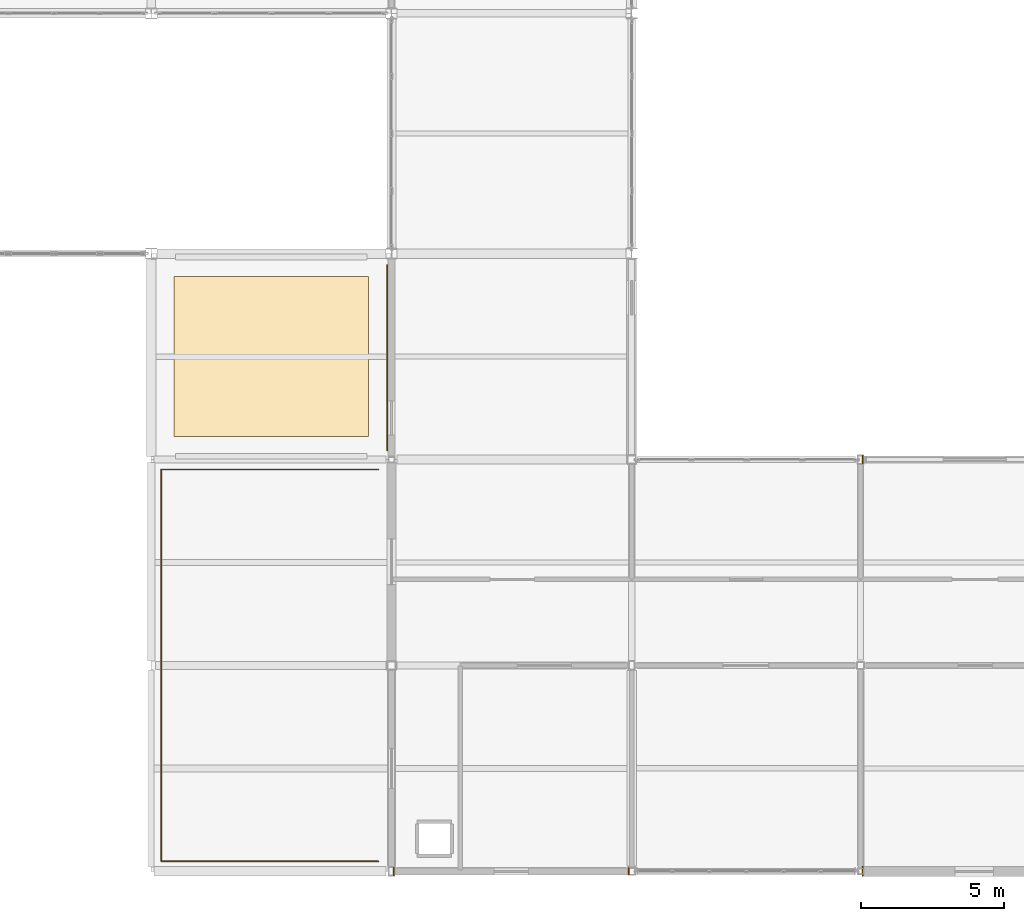
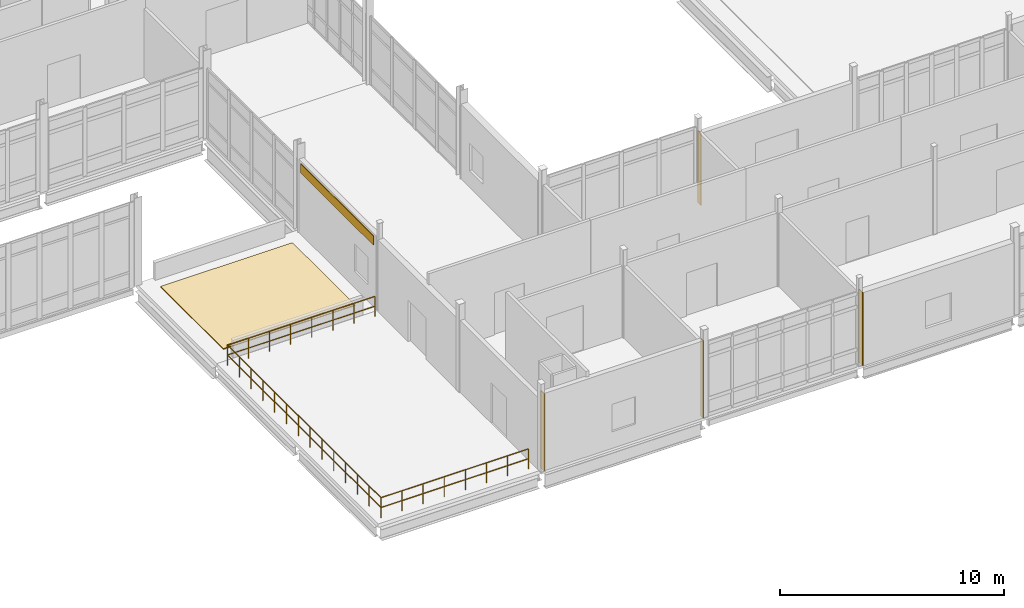
# One storey, part 172 of 186: 6 coverings, 1 railing.
"""IFC4 building model written with IfcOpenShell, lengths in metres."""

from ifc_helpers import new_model, si_unit, direction, frame, origin, origin_2d, place, context, subcontext, project, spatial, polyline, rectangle, circle, outline, extrude, material, layer, layer_set, type_object, element, save


model = new_model("IFC4")

# Units and contexts
model_context = context("Model", 3, precision=1e-05, world=origin(), true_north=direction((0.0, 1.0)))
body_context = subcontext(model_context, "Body", "Model", "MODEL_VIEW")
ifc_project = project(units=[si_unit("LENGTHUNIT", "METRE"), si_unit("AREAUNIT", "SQUARE_METRE"), si_unit("VOLUMEUNIT", "CUBIC_METRE"), si_unit("PLANEANGLEUNIT", "RADIAN"), si_unit("MASSUNIT", "GRAM", prefix="KILO")], contexts=[model_context])

# Site, building, storey
site_placement = place(None, origin())
site = spatial("IfcSite", under=ifc_project, at=site_placement, CompositionType="ELEMENT")
building_placement = place(site_placement, origin())
building = spatial("IfcBuilding", under=site, at=building_placement, Name="Calvrana Isthmian Art Gallery", CompositionType="ELEMENT")
storey_placement = place(building_placement, frame((0.0, 0.0, 5.39990234375)))
storey = spatial("IfcBuildingStorey", under=building, at=storey_placement, Name="L01", CompositionType="ELEMENT", Elevation=5.39990234375)

# Coverings
ifc_material_1 = material(Name="Polychrome glazed terracotta", Category="masonry")
ifc_layer_1 = layer(ifc_material_1, 0.0400390625, Name="Polychrome glazed terracotta")
ifc_layer_set_1 = layer_set([ifc_layer_1], Name="Polychrome glazed terracotta")
covering_type_1 = type_object("IfcCoveringType", Name="COV-CLAD-TERRA", PredefinedType="CLADDING", material=ifc_layer_set_1)
covering_1_placement = place(storey_placement, origin())
element("IfcCovering", 1, at=covering_1_placement, inside=storey, type_object=covering_type_1, Name="Column pocket weather closure L01-09-00-W", PredefinedType="CLADDING", context=body_context, shape_type="SweptSolid", body=[
    extrude(outline(polyline([(72.0615234375, -0.1474609375), (72.1015625, -0.1474609375), (72.1015625, 0.1474609375), (72.0615234375, 0.1474609375), (72.0615234375, -0.1474609375)])), origin(), (0.0, 0.0, 1.0), 4.21533203125),
])
covering_2_placement = place(storey_placement, origin())
element("IfcCovering", 2, at=covering_2_placement, inside=storey, type_object=covering_type_1, Name="Column pocket weather closure L01-09-00-E", PredefinedType="CLADDING", context=body_context, shape_type="SweptSolid", body=[
    extrude(outline(polyline([(80.27294921875, -0.125), (80.31298828125, -0.125), (80.31298828125, 0.125), (80.27294921875, 0.125), (80.27294921875, -0.125)])), origin(), (0.0, 0.0, 1.0), 4.21533203125),
])
covering_3_placement = place(storey_placement, origin())
element("IfcCovering", 3, at=covering_3_placement, inside=storey, type_object=covering_type_1, Name="Column pocket weather closure L01-11-00-W", PredefinedType="CLADDING", context=body_context, shape_type="SweptSolid", body=[
    extrude(outline(polyline([(88.461669921875, -0.175048828125), (88.501708984375, -0.175048828125), (88.501708984375, 0.175048828125), (88.461669921875, 0.175048828125), (88.461669921875, -0.175048828125)])), origin(), (0.0, 0.0, 1.0), 3.987060546875),
])
covering_4_placement = place(storey_placement, origin())
element("IfcCovering", 4, at=covering_4_placement, inside=storey, type_object=covering_type_1, Name="Column pocket weather closure L01-11-02-W", PredefinedType="CLADDING", context=body_context, shape_type="SweptSolid", body=[
    extrude(outline(polyline([(88.461669921875, 14.252685546875), (88.501708984375, 14.252685546875), (88.501708984375, 14.54736328125), (88.461669921875, 14.54736328125), (88.461669921875, 14.252685546875)])), origin(), (0.0, 0.0, 1.0), 3.9130859375),
])
covering_5_placement = place(storey_placement, frame((71.85693359375, 17.95751953125, 3.38720703125), z_axis=(0.0, 0.0, 1.0), x_axis=(0.0, 1.0, 0.0)))
element("IfcCovering", 5, at=covering_5_placement, inside=storey, type_object=covering_type_1, Name="Terracotta spandrel cladding 100", PredefinedType="CLADDING", context=body_context, shape_type="SweptSolid", body=[
    extrude(rectangle(XDim=6.511962890625, YDim=0.0400390625, at=origin_2d()), origin(), (0.0, 0.0, 1.0), 0.5),
])
ifc_material_2 = material(Name="Standing-seam zinc-aluminium roofing", Category="aluminium")
ifc_layer_2 = layer(ifc_material_2, 0.050048828125, Name="Standing-seam zinc-aluminium roofing")
ifc_layer_set_2 = layer_set([ifc_layer_2], Name="Standing-seam zinc-aluminium roofing")
covering_type_2 = type_object("IfcCoveringType", Name="COV-ROOF-ZINC", PredefinedType="ROOFING", material=ifc_layer_set_2)
covering_6_placement = place(storey_placement, origin())
element("IfcCovering", 6, at=covering_6_placement, inside=storey, type_object=covering_type_2, Name="Insulated roof membrane ROOF_V2C_L01", PredefinedType="ROOFING", context=body_context, shape_type="SweptSolid", body=[
    extrude(outline(polyline([(64.39990234375, 15.199951171875), (71.199951171875, 15.199951171875), (71.199951171875, 20.800048828125), (64.39990234375, 20.800048828125), (64.39990234375, 15.199951171875)])), origin(), (0.0, 0.0, 1.0), 0.050048828125),
])

# Railing
ifc_material_3 = material(Name="Anodized bronze aluminium 6063-T6", Category="aluminium")
railing_type = type_object("IfcRailingType", Name="RL-BAL-1120", PredefinedType="BALUSTRADE", material=ifc_material_3)
railing_placement = place(storey_placement, frame((71.550048828125, 0.35009765625, 0.0)))
element("IfcRailing", 7, at=railing_placement, inside=storey, type_object=railing_type, Name="Terrace balustrade GR-T01", PredefinedType="BALUSTRADE", context=body_context, shape_type="SweptSolid", body=[
    extrude(circle(Radius=0.02392578125, at=origin_2d()), frame((0.0, 0.0, 1.09619140625), z_axis=(-1.0, 0.0, 0.0), x_axis=(0.0, -1.0, 0.0)), (0.0, 0.0, 1.0), 7.60009765625),
    extrude(circle(Radius=0.02392578125, at=origin_2d()), frame((0.0, 0.0, 0.56005859375), z_axis=(-1.0, 0.0, 0.0), x_axis=(0.0, -1.0, 0.0)), (0.0, 0.0, 1.0), 7.60009765625),
    extrude(circle(Radius=0.02392578125, at=origin_2d()), frame((-7.60009765625, 0.0, 1.09619140625), z_axis=(0.0, 1.0, 0.0), x_axis=(-1.0, 0.0, 0.0)), (0.0, 0.0, 1.0), 13.699951171875),
    extrude(circle(Radius=0.02392578125, at=origin_2d()), frame((-7.60009765625, 0.0, 0.56005859375), z_axis=(0.0, 1.0, 0.0), x_axis=(-1.0, 0.0, 0.0)), (0.0, 0.0, 1.0), 13.699951171875),
    extrude(circle(Radius=0.02392578125, at=origin_2d()), frame((-7.60009765625, 13.699951171875, 1.09619140625), z_axis=(1.0, 0.0, 0.0), x_axis=(0.0, 1.0, 0.0)), (0.0, 0.0, 1.0), 7.60009765625),
    extrude(circle(Radius=0.02392578125, at=origin_2d()), frame((-7.60009765625, 13.699951171875, 0.56005859375), z_axis=(1.0, 0.0, 0.0), x_axis=(0.0, 1.0, 0.0)), (0.0, 0.0, 1.0), 7.60009765625),
    extrude(circle(Radius=0.02099609375, at=origin_2d()), origin(), (0.0, 0.0, 1.0), 1.072021484375),
    extrude(circle(Radius=0.02099609375, at=origin_2d()), frame((-1.085693359375, 0.0, 0.0)), (0.0, 0.0, 1.0), 1.072021484375),
    extrude(circle(Radius=0.02099609375, at=origin_2d()), frame((-2.17138671875, 0.0, 0.0)), (0.0, 0.0, 1.0), 1.072021484375),
    extrude(circle(Radius=0.02099609375, at=origin_2d()), frame((-3.257080078125, 0.0, 0.0)), (0.0, 0.0, 1.0), 1.072021484375),
    extrude(circle(Radius=0.02099609375, at=origin_2d()), frame((-4.343017578125, 0.0, 0.0)), (0.0, 0.0, 1.0), 1.072021484375),
    extrude(circle(Radius=0.02099609375, at=origin_2d()), frame((-5.4287109375, 0.0, 0.0)), (0.0, 0.0, 1.0), 1.072021484375),
    extrude(circle(Radius=0.02099609375, at=origin_2d()), frame((-6.514404296875, 0.0, 0.0)), (0.0, 0.0, 1.0), 1.072021484375),
    extrude(circle(Radius=0.02099609375, at=origin_2d()), frame((-7.60009765625, 0.0, 0.0)), (0.0, 0.0, 1.0), 1.072021484375),
    extrude(circle(Radius=0.02099609375, at=origin_2d()), frame((-7.60009765625, 1.053955078125, 0.0)), (0.0, 0.0, 1.0), 1.072021484375),
    extrude(circle(Radius=0.02099609375, at=origin_2d()), frame((-7.60009765625, 2.107666015625, 0.0)), (0.0, 0.0, 1.0), 1.072021484375),
    extrude(circle(Radius=0.02099609375, at=origin_2d()), frame((-7.60009765625, 3.16162109375, 0.0)), (0.0, 0.0, 1.0), 1.072021484375),
    extrude(circle(Radius=0.02099609375, at=origin_2d()), frame((-7.60009765625, 4.21533203125, 0.0)), (0.0, 0.0, 1.0), 1.072021484375),
    extrude(circle(Radius=0.02099609375, at=origin_2d()), frame((-7.60009765625, 5.269287109375, 0.0)), (0.0, 0.0, 1.0), 1.072021484375),
    extrude(circle(Radius=0.02099609375, at=origin_2d()), frame((-7.60009765625, 6.322998046875, 0.0)), (0.0, 0.0, 1.0), 1.072021484375),
    extrude(circle(Radius=0.02099609375, at=origin_2d()), frame((-7.60009765625, 7.376953125, 0.0)), (0.0, 0.0, 1.0), 1.072021484375),
    extrude(circle(Radius=0.02099609375, at=origin_2d()), frame((-7.60009765625, 8.4306640625, 0.0)), (0.0, 0.0, 1.0), 1.072021484375),
    extrude(circle(Radius=0.02099609375, at=origin_2d()), frame((-7.60009765625, 9.484619140625, 0.0)), (0.0, 0.0, 1.0), 1.072021484375),
    extrude(circle(Radius=0.02099609375, at=origin_2d()), frame((-7.60009765625, 10.538330078125, 0.0)), (0.0, 0.0, 1.0), 1.072021484375),
    extrude(circle(Radius=0.02099609375, at=origin_2d()), frame((-7.60009765625, 11.59228515625, 0.0)), (0.0, 0.0, 1.0), 1.072021484375),
    extrude(circle(Radius=0.02099609375, at=origin_2d()), frame((-7.60009765625, 12.64599609375, 0.0)), (0.0, 0.0, 1.0), 1.072021484375),
    extrude(circle(Radius=0.02099609375, at=origin_2d()), frame((-7.60009765625, 13.699951171875, 0.0)), (0.0, 0.0, 1.0), 1.072021484375),
    extrude(circle(Radius=0.02099609375, at=origin_2d()), frame((-6.514404296875, 13.699951171875, 0.0)), (0.0, 0.0, 1.0), 1.072021484375),
    extrude(circle(Radius=0.02099609375, at=origin_2d()), frame((-5.4287109375, 13.699951171875, 0.0)), (0.0, 0.0, 1.0), 1.072021484375),
    extrude(circle(Radius=0.02099609375, at=origin_2d()), frame((-4.343017578125, 13.699951171875, 0.0)), (0.0, 0.0, 1.0), 1.072021484375),
    extrude(circle(Radius=0.02099609375, at=origin_2d()), frame((-3.257080078125, 13.699951171875, 0.0)), (0.0, 0.0, 1.0), 1.072021484375),
    extrude(circle(Radius=0.02099609375, at=origin_2d()), frame((-2.17138671875, 13.699951171875, 0.0)), (0.0, 0.0, 1.0), 1.072021484375),
    extrude(circle(Radius=0.02099609375, at=origin_2d()), frame((-1.085693359375, 13.699951171875, 0.0)), (0.0, 0.0, 1.0), 1.072021484375),
    extrude(circle(Radius=0.02099609375, at=origin_2d()), frame((0.0, 13.699951171875, 0.0)), (0.0, 0.0, 1.0), 1.072021484375),
])

save(model, "model.ifc")
